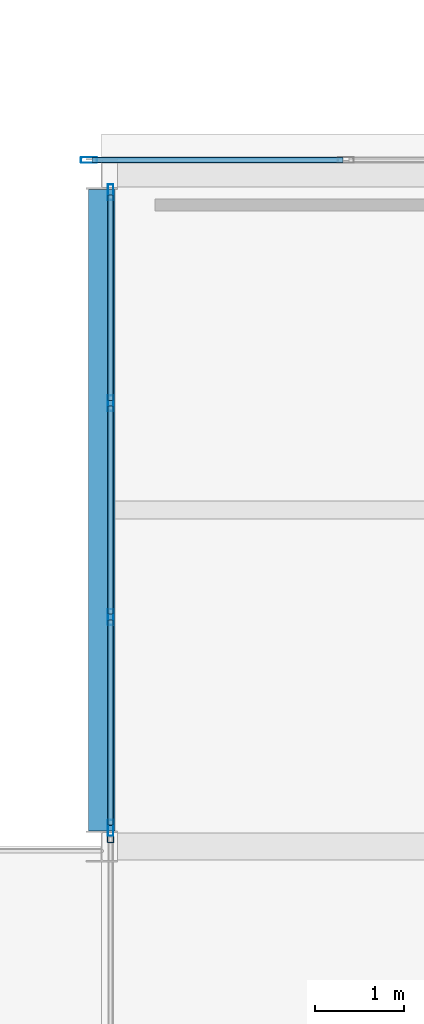
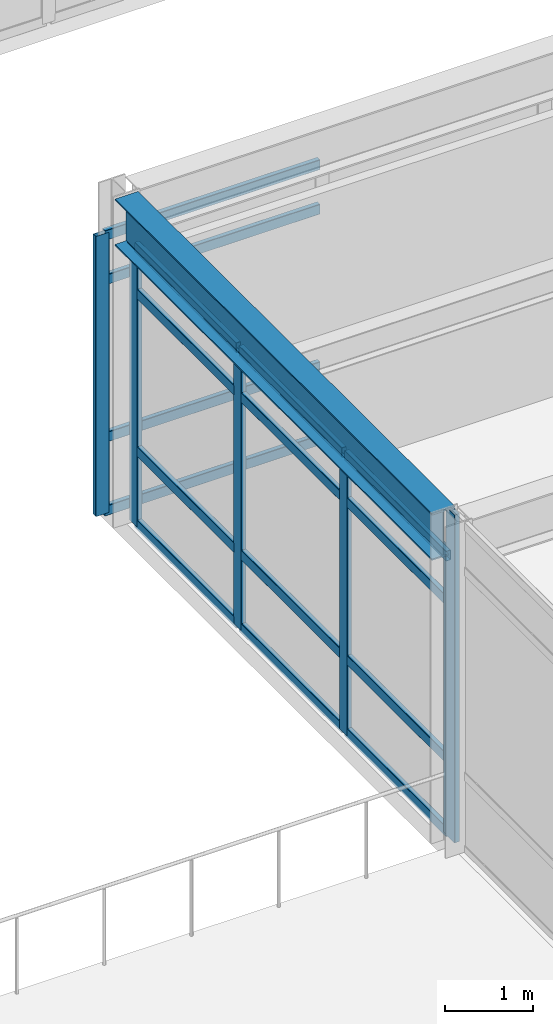
# One storey, part 22 of 154: 22 members, 1 beam, 3 elements without a shape of their own.
"""IFC4 building model written with IfcOpenShell, lengths in metres."""

from ifc_helpers import new_model, si_unit, direction, frame, origin, origin_2d, place, context, subcontext, project, spatial, hollow_rectangle, i_section, extrude, material, layer, layer_set, material_profile, profile_set, type_object, element, aggregate, save


model = new_model("IFC4")

# Units and contexts
model_context = context("Model", 3, precision=1e-05, world=origin(), true_north=direction((0.0, 1.0)))
body_context = subcontext(model_context, "Body", "Model", "MODEL_VIEW")
ifc_project = project(units=[si_unit("LENGTHUNIT", "METRE"), si_unit("AREAUNIT", "SQUARE_METRE"), si_unit("VOLUMEUNIT", "CUBIC_METRE"), si_unit("PLANEANGLEUNIT", "RADIAN"), si_unit("MASSUNIT", "GRAM", prefix="KILO")], contexts=[model_context])

# Site, building, storey
site_placement = place(None, origin())
site = spatial("IfcSite", under=ifc_project, at=site_placement, CompositionType="ELEMENT")
building_placement = place(site_placement, origin())
building = spatial("IfcBuilding", under=site, at=building_placement, Name="Kazehara Bluff Congress Hotel", CompositionType="ELEMENT")
storey_placement = place(building_placement, frame((0.0, 0.0, 10.199951171875)))
storey = spatial("IfcBuildingStorey", under=building, at=storey_placement, Name="L02", CompositionType="ELEMENT", Elevation=10.199951171875)

# Curtain wall, member
ifc_material_1 = material(Name="Anodised aluminium", Category="aluminium")
ifc_layer_1 = layer(ifc_material_1, 0.159912109375)
ifc_layer_set_1 = layer_set([ifc_layer_1], Name="Anodised aluminium")
curtain_wall_type_1 = type_object("IfcCurtainWallType", Name="TP-CW-130", PredefinedType="NOTDEFINED", material=ifc_layer_set_1)
curtain_wall_1_placement = place(storey_placement, origin())
curtain_wall_1 = element("IfcCurtainWall", 1, at=curtain_wall_1_placement, inside=storey, type_object=curtain_wall_type_1, Name="L02 curtain wall CW-130 CW-ENC-V2-L02-3780-3970", PredefinedType="NOTDEFINED")
ifc_material_2 = material(Name="Anodised aluminium", Category="aluminium")
ifc_material_profile_1 = material_profile(ifc_material_2, hollow_rectangle(XDim=0.06494140625, YDim=0.179931640625, WallThickness=0.00390625, InnerFilletRadius=0.00390625, OuterFilletRadius=0.008056640625, at=origin_2d()))
ifc_profile_set_1 = profile_set([ifc_material_profile_1], Name="Anodised aluminium")
member_type_1 = type_object("IfcMemberType", Name="TP-CWM-02", PredefinedType="MULLION", material=ifc_profile_set_1)
member_1_placement = place(storey_placement, frame((33.45751953125, 39.705078125, 0.0), z_axis=(0.0, 0.0, 1.0), x_axis=(0.0, 1.0, 0.0)))
member_1 = element("IfcMember", 2, at=member_1_placement, type_object=member_type_1, Name="CW-130 mullion 1", PredefinedType="MULLION", context=body_context, shape_type="SweptSolid", body=[
    extrude(hollow_rectangle(XDim=0.06494140625, YDim=0.179931640625, WallThickness=0.00390625, InnerFilletRadius=0.00390625, OuterFilletRadius=0.008056640625, at=origin_2d()), origin(), (0.0, 0.0, 1.0), 3.885009765625),
])

# Curtain wall, members
ifc_material_3 = material(Name="Anodised aluminium", Category="aluminium")
ifc_layer_2 = layer(ifc_material_3, 0.159912109375)
ifc_layer_set_2 = layer_set([ifc_layer_2], Name="Anodised aluminium")
curtain_wall_type_2 = type_object("IfcCurtainWallType", Name="TP-CW-134", PredefinedType="NOTDEFINED", material=ifc_layer_set_2)
curtain_wall_2_placement = place(storey_placement, origin())
curtain_wall_2 = element("IfcCurtainWall", 3, at=curtain_wall_2_placement, inside=storey, type_object=curtain_wall_type_2, Name="L02 curtain wall CW-134 CW-ENC-V2-L02-3370-3578", PredefinedType="NOTDEFINED")
member_2_placement = place(storey_placement, frame((33.699951171875, 32.20751953125, 0.0), z_axis=(0.0, 0.0, 1.0), x_axis=(-1.0, 0.0, 0.0)))
member_2 = element("IfcMember", 4, at=member_2_placement, type_object=member_type_1, Name="CW-134 mullion 1", PredefinedType="MULLION", context=body_context, shape_type="SweptSolid", body=[
    extrude(hollow_rectangle(XDim=0.06494140625, YDim=0.179931640625, WallThickness=0.00390625, InnerFilletRadius=0.00390625, OuterFilletRadius=0.008056640625, at=origin_2d()), origin(), (0.0, 0.0, 1.0), 3.885009765625),
])
member_3_placement = place(storey_placement, frame((33.699951171875, 34.574951171875, 0.0), z_axis=(0.0, 0.0, 1.0), x_axis=(-1.0, 0.0, 0.0)))
member_3 = element("IfcMember", 5, at=member_3_placement, type_object=member_type_1, Name="CW-134 mullion 2", PredefinedType="MULLION", context=body_context, shape_type="SweptSolid", body=[
    extrude(hollow_rectangle(XDim=0.06494140625, YDim=0.179931640625, WallThickness=0.00390625, InnerFilletRadius=0.00390625, OuterFilletRadius=0.008056640625, at=origin_2d()), origin(), (0.0, 0.0, 1.0), 3.885009765625),
])
member_4_placement = place(storey_placement, frame((33.699951171875, 36.97509765625, 0.0), z_axis=(0.0, 0.0, 1.0), x_axis=(-1.0, 0.0, 0.0)))
member_4 = element("IfcMember", 6, at=member_4_placement, type_object=member_type_1, Name="CW-134 mullion 3", PredefinedType="MULLION", context=body_context, shape_type="SweptSolid", body=[
    extrude(hollow_rectangle(XDim=0.06494140625, YDim=0.179931640625, WallThickness=0.00390625, InnerFilletRadius=0.00390625, OuterFilletRadius=0.008056640625, at=origin_2d()), origin(), (0.0, 0.0, 1.0), 3.885009765625),
])
member_5_placement = place(storey_placement, frame((33.699951171875, 39.342529296875, 0.0), z_axis=(0.0, 0.0, 1.0), x_axis=(-1.0, 0.0, 0.0)))
member_5 = element("IfcMember", 7, at=member_5_placement, type_object=member_type_1, Name="CW-134 mullion 4", PredefinedType="MULLION", context=body_context, shape_type="SweptSolid", body=[
    extrude(hollow_rectangle(XDim=0.06494140625, YDim=0.179931640625, WallThickness=0.00390625, InnerFilletRadius=0.00390625, OuterFilletRadius=0.008056640625, at=origin_2d()), origin(), (0.0, 0.0, 1.0), 3.885009765625),
])

# Curtain wall, member
ifc_material_4 = material(Name="Anodised aluminium", Category="aluminium")
ifc_layer_3 = layer(ifc_material_4, 0.159912109375)
ifc_layer_set_3 = layer_set([ifc_layer_3], Name="Anodised aluminium")
curtain_wall_type_3 = type_object("IfcCurtainWallType", Name="TP-CW-133", PredefinedType="NOTDEFINED", material=ifc_layer_set_3)
curtain_wall_3_placement = place(storey_placement, origin())
curtain_wall_3 = element("IfcCurtainWall", 8, at=curtain_wall_3_placement, inside=storey, type_object=curtain_wall_type_3, Name="L02 curtain wall CW-133 CW-ENC-V2-L02-3370-2899", PredefinedType="NOTDEFINED")
ifc_material_5 = material(Name="Anodised aluminium", Category="aluminium")
ifc_material_profile_2 = material_profile(ifc_material_5, hollow_rectangle(XDim=0.070068359375, YDim=0.199951171875, WallThickness=0.0048828125, InnerFilletRadius=0.0048828125, OuterFilletRadius=0.010009765625, at=origin_2d()))
ifc_profile_set_2 = profile_set([ifc_material_profile_2], Name="Anodised aluminium")
member_type_2 = type_object("IfcMemberType", Name="TP-CWM-03", PredefinedType="MULLION", material=ifc_profile_set_2)
member_6_placement = place(storey_placement, frame((33.699951171875, 32.139892578125, 0.0), z_axis=(0.0, 0.0, 1.0), x_axis=(-1.0, 0.0, 0.0)))
member_6 = element("IfcMember", 9, at=member_6_placement, type_object=member_type_2, Name="CW-133 mullion 3", PredefinedType="MULLION", context=body_context, shape_type="SweptSolid", body=[
    extrude(hollow_rectangle(XDim=0.070068359375, YDim=0.199951171875, WallThickness=0.0048828125, InnerFilletRadius=0.0048828125, OuterFilletRadius=0.010009765625, at=origin_2d()), origin(), (0.0, 0.0, 1.0), 4.545166015625),
])
aggregate(curtain_wall_3, [member_6])

# Member
ifc_material_6 = material(Name="Anodised aluminium", Category="aluminium")
ifc_material_profile_3 = material_profile(ifc_material_6, hollow_rectangle(XDim=0.06494140625, YDim=0.139892578125, WallThickness=0.00390625, InnerFilletRadius=0.00390625, OuterFilletRadius=0.008056640625, at=origin_2d()))
ifc_profile_set_3 = profile_set([ifc_material_profile_3], Name="Anodised aluminium")
member_type_3 = type_object("IfcMemberType", Name="TP-CWT-02", PredefinedType="USERDEFINED", material=ifc_profile_set_3)
member_7_placement = place(storey_placement, frame((33.489990234375, 39.705078125, 0.032470703125), z_axis=(1.0, 0.0, 0.0), x_axis=(0.0, 1.0, 0.0)))
member_7 = element("IfcMember", 10, at=member_7_placement, type_object=member_type_3, Name="CW-130 transom 1.1", ObjectType="TRANSOM", PredefinedType="USERDEFINED", context=body_context, shape_type="SweptSolid", body=[
    extrude(hollow_rectangle(XDim=0.06494140625, YDim=0.139892578125, WallThickness=0.00390625, InnerFilletRadius=0.00390625, OuterFilletRadius=0.008056640625, at=origin_2d()), origin(), (0.0, 0.0, 1.0), 2.819091796875),
])

member_8_placement = place(storey_placement, frame((33.489990234375, 39.705078125, 1.050048828125), z_axis=(1.0, 0.0, 0.0), x_axis=(0.0, 1.0, 0.0)))
member_8 = element("IfcMember", 11, at=member_8_placement, type_object=member_type_3, Name="CW-130 transom 1.2", ObjectType="TRANSOM", PredefinedType="USERDEFINED", context=body_context, shape_type="SweptSolid", body=[
    extrude(hollow_rectangle(XDim=0.06494140625, YDim=0.139892578125, WallThickness=0.00390625, InnerFilletRadius=0.00390625, OuterFilletRadius=0.008056640625, at=origin_2d()), origin(), (0.0, 0.0, 1.0), 2.819091796875),
])

member_9_placement = place(storey_placement, frame((33.489990234375, 39.705078125, 3.235107421875), z_axis=(1.0, 0.0, 0.0), x_axis=(0.0, 1.0, 0.0)))
member_9 = element("IfcMember", 12, at=member_9_placement, type_object=member_type_3, Name="CW-130 transom 1.3", ObjectType="TRANSOM", PredefinedType="USERDEFINED", context=body_context, shape_type="SweptSolid", body=[
    extrude(hollow_rectangle(XDim=0.06494140625, YDim=0.139892578125, WallThickness=0.00390625, InnerFilletRadius=0.00390625, OuterFilletRadius=0.008056640625, at=origin_2d()), origin(), (0.0, 0.0, 1.0), 2.819091796875),
])

member_10_placement = place(storey_placement, frame((33.489990234375, 39.705078125, 3.8525390625), z_axis=(1.0, 0.0, 0.0), x_axis=(0.0, 1.0, 0.0)))
member_10 = element("IfcMember", 13, at=member_10_placement, type_object=member_type_3, Name="CW-130 transom 1.4", ObjectType="TRANSOM", PredefinedType="USERDEFINED", context=body_context, shape_type="SweptSolid", body=[
    extrude(hollow_rectangle(XDim=0.06494140625, YDim=0.139892578125, WallThickness=0.00390625, InnerFilletRadius=0.00390625, OuterFilletRadius=0.008056640625, at=origin_2d()), origin(), (0.0, 0.0, 1.0), 2.819091796875),
])

aggregate(curtain_wall_1, [member_1, member_7, member_8, member_9, member_10])

member_11_placement = place(storey_placement, frame((33.699951171875, 32.239990234375, 0.032470703125), z_axis=(0.0, 1.0, 0.0), x_axis=(-1.0, 0.0, 0.0)))
member_11 = element("IfcMember", 14, at=member_11_placement, type_object=member_type_3, Name="CW-134 transom 1.1", ObjectType="TRANSOM", PredefinedType="USERDEFINED", context=body_context, shape_type="SweptSolid", body=[
    extrude(hollow_rectangle(XDim=0.06494140625, YDim=0.139892578125, WallThickness=0.00390625, InnerFilletRadius=0.00390625, OuterFilletRadius=0.008056640625, at=origin_2d()), origin(), (0.0, 0.0, 1.0), 2.302490234375),
])

member_12_placement = place(storey_placement, frame((33.699951171875, 32.239990234375, 1.050048828125), z_axis=(0.0, 1.0, 0.0), x_axis=(-1.0, 0.0, 0.0)))
member_12 = element("IfcMember", 15, at=member_12_placement, type_object=member_type_3, Name="CW-134 transom 1.2", ObjectType="TRANSOM", PredefinedType="USERDEFINED", context=body_context, shape_type="SweptSolid", body=[
    extrude(hollow_rectangle(XDim=0.06494140625, YDim=0.139892578125, WallThickness=0.00390625, InnerFilletRadius=0.00390625, OuterFilletRadius=0.008056640625, at=origin_2d()), origin(), (0.0, 0.0, 1.0), 2.302490234375),
])

member_13_placement = place(storey_placement, frame((33.699951171875, 32.239990234375, 3.235107421875), z_axis=(0.0, 1.0, 0.0), x_axis=(-1.0, 0.0, 0.0)))
member_13 = element("IfcMember", 16, at=member_13_placement, type_object=member_type_3, Name="CW-134 transom 1.3", ObjectType="TRANSOM", PredefinedType="USERDEFINED", context=body_context, shape_type="SweptSolid", body=[
    extrude(hollow_rectangle(XDim=0.06494140625, YDim=0.139892578125, WallThickness=0.00390625, InnerFilletRadius=0.00390625, OuterFilletRadius=0.008056640625, at=origin_2d()), origin(), (0.0, 0.0, 1.0), 2.302490234375),
])

member_14_placement = place(storey_placement, frame((33.699951171875, 32.239990234375, 3.8525390625), z_axis=(0.0, 1.0, 0.0), x_axis=(-1.0, 0.0, 0.0)))
member_14 = element("IfcMember", 17, at=member_14_placement, type_object=member_type_3, Name="CW-134 transom 1.4", ObjectType="TRANSOM", PredefinedType="USERDEFINED", context=body_context, shape_type="SweptSolid", body=[
    extrude(hollow_rectangle(XDim=0.06494140625, YDim=0.139892578125, WallThickness=0.00390625, InnerFilletRadius=0.00390625, OuterFilletRadius=0.008056640625, at=origin_2d()), origin(), (0.0, 0.0, 1.0), 2.302490234375),
])

member_15_placement = place(storey_placement, frame((33.699951171875, 34.607421875, 0.032470703125), z_axis=(0.0, 1.0, 0.0), x_axis=(-1.0, 0.0, 0.0)))
member_15 = element("IfcMember", 18, at=member_15_placement, type_object=member_type_3, Name="CW-134 transom 2.1", ObjectType="TRANSOM", PredefinedType="USERDEFINED", context=body_context, shape_type="SweptSolid", body=[
    extrude(hollow_rectangle(XDim=0.06494140625, YDim=0.139892578125, WallThickness=0.00390625, InnerFilletRadius=0.00390625, OuterFilletRadius=0.008056640625, at=origin_2d()), origin(), (0.0, 0.0, 1.0), 2.3349609375),
])

member_16_placement = place(storey_placement, frame((33.699951171875, 34.607421875, 1.050048828125), z_axis=(0.0, 1.0, 0.0), x_axis=(-1.0, 0.0, 0.0)))
member_16 = element("IfcMember", 19, at=member_16_placement, type_object=member_type_3, Name="CW-134 transom 2.2", ObjectType="TRANSOM", PredefinedType="USERDEFINED", context=body_context, shape_type="SweptSolid", body=[
    extrude(hollow_rectangle(XDim=0.06494140625, YDim=0.139892578125, WallThickness=0.00390625, InnerFilletRadius=0.00390625, OuterFilletRadius=0.008056640625, at=origin_2d()), origin(), (0.0, 0.0, 1.0), 2.3349609375),
])

member_17_placement = place(storey_placement, frame((33.699951171875, 34.607421875, 3.235107421875), z_axis=(0.0, 1.0, 0.0), x_axis=(-1.0, 0.0, 0.0)))
member_17 = element("IfcMember", 20, at=member_17_placement, type_object=member_type_3, Name="CW-134 transom 2.3", ObjectType="TRANSOM", PredefinedType="USERDEFINED", context=body_context, shape_type="SweptSolid", body=[
    extrude(hollow_rectangle(XDim=0.06494140625, YDim=0.139892578125, WallThickness=0.00390625, InnerFilletRadius=0.00390625, OuterFilletRadius=0.008056640625, at=origin_2d()), origin(), (0.0, 0.0, 1.0), 2.3349609375),
])

member_18_placement = place(storey_placement, frame((33.699951171875, 34.607421875, 3.8525390625), z_axis=(0.0, 1.0, 0.0), x_axis=(-1.0, 0.0, 0.0)))
member_18 = element("IfcMember", 21, at=member_18_placement, type_object=member_type_3, Name="CW-134 transom 2.4", ObjectType="TRANSOM", PredefinedType="USERDEFINED", context=body_context, shape_type="SweptSolid", body=[
    extrude(hollow_rectangle(XDim=0.06494140625, YDim=0.139892578125, WallThickness=0.00390625, InnerFilletRadius=0.00390625, OuterFilletRadius=0.008056640625, at=origin_2d()), origin(), (0.0, 0.0, 1.0), 2.3349609375),
])

member_19_placement = place(storey_placement, frame((33.699951171875, 37.007568359375, 0.032470703125), z_axis=(0.0, 1.0, 0.0), x_axis=(-1.0, 0.0, 0.0)))
member_19 = element("IfcMember", 22, at=member_19_placement, type_object=member_type_3, Name="CW-134 transom 3.1", ObjectType="TRANSOM", PredefinedType="USERDEFINED", context=body_context, shape_type="SweptSolid", body=[
    extrude(hollow_rectangle(XDim=0.06494140625, YDim=0.139892578125, WallThickness=0.00390625, InnerFilletRadius=0.00390625, OuterFilletRadius=0.008056640625, at=origin_2d()), origin(), (0.0, 0.0, 1.0), 2.302490234375),
])

member_20_placement = place(storey_placement, frame((33.699951171875, 37.007568359375, 1.050048828125), z_axis=(0.0, 1.0, 0.0), x_axis=(-1.0, 0.0, 0.0)))
member_20 = element("IfcMember", 23, at=member_20_placement, type_object=member_type_3, Name="CW-134 transom 3.2", ObjectType="TRANSOM", PredefinedType="USERDEFINED", context=body_context, shape_type="SweptSolid", body=[
    extrude(hollow_rectangle(XDim=0.06494140625, YDim=0.139892578125, WallThickness=0.00390625, InnerFilletRadius=0.00390625, OuterFilletRadius=0.008056640625, at=origin_2d()), origin(), (0.0, 0.0, 1.0), 2.302490234375),
])

member_21_placement = place(storey_placement, frame((33.699951171875, 37.007568359375, 3.235107421875), z_axis=(0.0, 1.0, 0.0), x_axis=(-1.0, 0.0, 0.0)))
member_21 = element("IfcMember", 24, at=member_21_placement, type_object=member_type_3, Name="CW-134 transom 3.3", ObjectType="TRANSOM", PredefinedType="USERDEFINED", context=body_context, shape_type="SweptSolid", body=[
    extrude(hollow_rectangle(XDim=0.06494140625, YDim=0.139892578125, WallThickness=0.00390625, InnerFilletRadius=0.00390625, OuterFilletRadius=0.008056640625, at=origin_2d()), origin(), (0.0, 0.0, 1.0), 2.302490234375),
])

member_22_placement = place(storey_placement, frame((33.699951171875, 37.007568359375, 3.8525390625), z_axis=(0.0, 1.0, 0.0), x_axis=(-1.0, 0.0, 0.0)))
member_22 = element("IfcMember", 25, at=member_22_placement, type_object=member_type_3, Name="CW-134 transom 3.4", ObjectType="TRANSOM", PredefinedType="USERDEFINED", context=body_context, shape_type="SweptSolid", body=[
    extrude(hollow_rectangle(XDim=0.06494140625, YDim=0.139892578125, WallThickness=0.00390625, InnerFilletRadius=0.00390625, OuterFilletRadius=0.008056640625, at=origin_2d()), origin(), (0.0, 0.0, 1.0), 2.302490234375),
])

aggregate(curtain_wall_2, [member_2, member_3, member_4, member_5, member_11, member_12, member_13, member_14, member_15, member_16, member_17, member_18, member_19, member_20, member_21, member_22])

# Beam
ifc_material_7 = material(Name="Steel SN490B", Category="steel")
ifc_material_profile_4 = material_profile(ifc_material_7, i_section(OverallWidth=0.300048828125, OverallDepth=0.64990234375, WebThickness=0.011962890625, FlangeThickness=0.02001953125, FilletRadius=0.012939453125, at=origin_2d()))
ifc_profile_set_4 = profile_set([ifc_material_profile_4], Name="Steel SN490B")
beam_type = type_object("IfcBeamType", Name="TP-G-03", PredefinedType="BEAM", material=ifc_profile_set_4)
beam_placement = place(storey_placement, frame((33.60009765625, 32.175048828125, 4.235107421875), z_axis=(0.0, 1.0, 0.0), x_axis=(-1.0, 0.0, 0.0)))
element("IfcBeam", 26, at=beam_placement, inside=storey, type_object=beam_type, Name="L02 girder G-03 41", PredefinedType="BEAM", context=body_context, shape_type="SweptSolid", body=[
    extrude(i_section(OverallWidth=0.300048828125, OverallDepth=0.64990234375, WebThickness=0.011962890625, FlangeThickness=0.02001953125, FilletRadius=0.012939453125, at=origin_2d()), origin(), (0.0, 0.0, 1.0), 7.199951171875),
])

save(model, "model.ifc")
